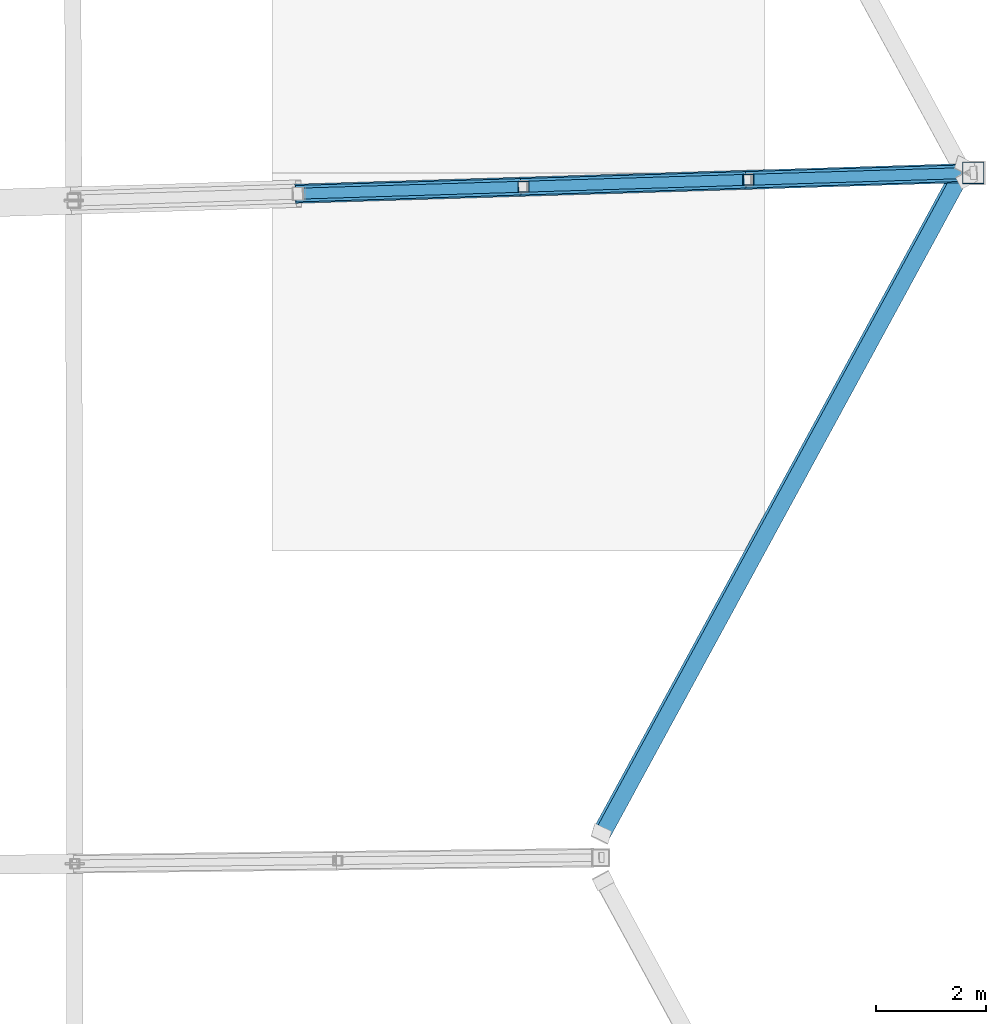
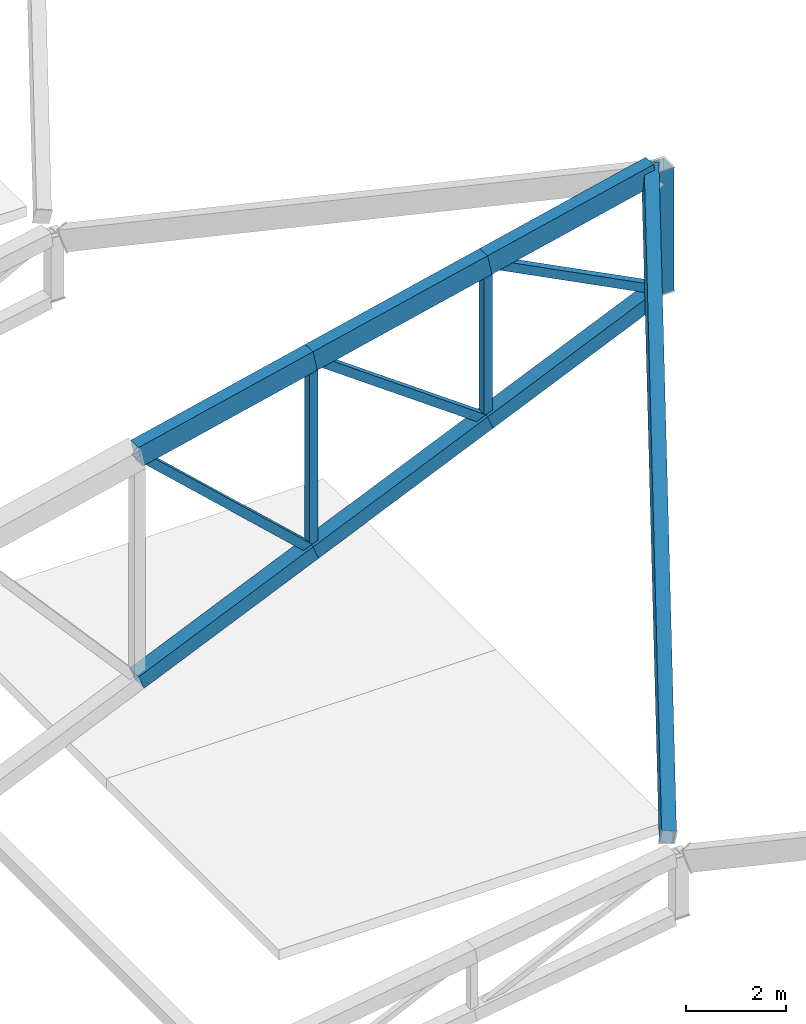
# One storey, part 60 of 188: 12 members, 1 beam.
"""IFC4 building model written with IfcOpenShell, lengths in metres."""

from ifc_helpers import new_model, si_unit, direction, frame, origin, origin_2d, place, context, subcontext, project, spatial, hollow_rectangle, extrude, material, material_profile, profile_set, type_object, element, save


model = new_model("IFC4")

# Units and contexts
model_context = context("Model", 3, precision=1e-05, world=origin(), true_north=direction((0.0, 1.0)))
body_context = subcontext(model_context, "Body", "Model", "MODEL_VIEW")
ifc_project = project(units=[si_unit("LENGTHUNIT", "METRE"), si_unit("AREAUNIT", "SQUARE_METRE"), si_unit("VOLUMEUNIT", "CUBIC_METRE"), si_unit("PLANEANGLEUNIT", "RADIAN"), si_unit("MASSUNIT", "GRAM", prefix="KILO")], contexts=[model_context])

# Site, building, storey
site_placement = place(None, origin())
site = spatial("IfcSite", under=ifc_project, at=site_placement, CompositionType="ELEMENT")
building_placement = place(site_placement, origin())
building = spatial("IfcBuilding", under=site, at=building_placement, Name="Meseta Stadium", CompositionType="ELEMENT")
storey_placement = place(building_placement, frame((0.0, 0.0, 30.0)))
storey = spatial("IfcBuildingStorey", under=building, at=storey_placement, Name="ROOF", CompositionType="ELEMENT", Elevation=30.0)

# Beam
ifc_material_1 = material(Name="Steel S355", Category="steel")
ifc_material_profile_1 = material_profile(ifc_material_1, hollow_rectangle(XDim=0.300048828125, YDim=0.5, WallThickness=0.01611328125, at=origin_2d()), Name="RHS 500x300x16")
ifc_profile_set_1 = profile_set([ifc_material_profile_1], Name="Steel S355")
beam_type = type_object("IfcBeamType", Name="RHS 500x300x16 rim ring beam", PredefinedType="BEAM", material=ifc_profile_set_1)
beam_placement = place(storey_placement, frame((94.612548828125, 6.690185546875, 3.795654296875), z_axis=(0.43116895441, 0.792582276806, 0.43116895441), x_axis=(-0.893501222002, 0.441536223091, 0.081861651456)))
element("IfcBeam", 1, at=beam_placement, inside=storey, type_object=beam_type, Name="RIM RING BEAM 06", PredefinedType="BEAM", context=body_context, shape_type="SweptSolid", body=[
    extrude(hollow_rectangle(XDim=0.300048828125, YDim=0.5, WallThickness=0.01611328125, at=origin_2d()), origin(), (0.0, 0.0, 1.0), 15.361328125),
])

# Members
ifc_material_2 = material(Name="Steel S355", Category="steel")
ifc_material_profile_2 = material_profile(ifc_material_2, hollow_rectangle(XDim=0.300048828125, YDim=0.5, WallThickness=0.01611328125, at=origin_2d()), Name="RHS 500x300x16")
ifc_profile_set_2 = profile_set([ifc_material_profile_2], Name="Steel S355")
member_type_1 = type_object("IfcMemberType", Name="RHS 500x300x16 top chord", PredefinedType="CHORD", material=ifc_profile_set_2)
for number, where, z_axis, x_axis, name in (
    (2, (89.083984375, 18.3701171875, 8.013427734375), (0.979749392176, 0.030240257778, 0.197930935785), (-0.030850607166, 0.999524006734, 0.0), "ROOF TRUSS RT-06 top chord"),
    (3, (93.189208984375, 18.496826171875, 8.8427734375), (0.979764748905, 0.030180669596, 0.197864003763), (-0.030789391844, 0.999525894287, 0.0), "ROOF TRUSS RT-06 top chord"),
):
    element("IfcMember", number, at=place(storey_placement, frame(where, z_axis=z_axis, x_axis=x_axis)), inside=storey, type_object=member_type_1, Name=name, PredefinedType="CHORD", context=body_context, shape_type="SweptSolid", body=[
        extrude(hollow_rectangle(XDim=0.300048828125, YDim=0.5, WallThickness=0.01611328125, at=origin_2d()), origin(), (0.0, 0.0, 1.0), 4.190185546875),
    ])
member_1_placement = place(storey_placement, frame((97.294677734375, 18.623291015625, 9.671875), z_axis=(0.979749581213, 0.030225210337, 0.197932298459), x_axis=(-0.030835264673, 0.999524480167, 0.0)))
element("IfcMember", 4, at=member_1_placement, inside=storey, type_object=member_type_1, Name="ROOF TRUSS RT-06 top chord", PredefinedType="CHORD", context=body_context, shape_type="SweptSolid", body=[
    extrude(hollow_rectangle(XDim=0.300048828125, YDim=0.5, WallThickness=0.01611328125, at=origin_2d()), origin(), (0.0, 0.0, 1.0), 3.990234375),
])
ifc_material_3 = material(Name="Steel S355", Category="steel")
ifc_material_profile_3 = material_profile(ifc_material_3, hollow_rectangle(XDim=0.199951171875, YDim=0.199951171875, WallThickness=0.008056640625, at=origin_2d()), Name="SHS 200x200x8")
ifc_profile_set_3 = profile_set([ifc_material_profile_3], Name="Steel S355")
member_type_2 = type_object("IfcMemberType", Name="SHS 200x200x8 diagonal", PredefinedType="BRACE", material=ifc_profile_set_3)
member_2_placement = place(storey_placement, frame((89.083984375, 18.3701171875, 8.013427734375), z_axis=(0.730349310361, 0.022542449722, -0.682701781758), x_axis=(-0.030850607166, 0.999524006734, 0.0)))
element("IfcMember", 5, at=member_2_placement, inside=storey, type_object=member_type_2, Name="ROOF TRUSS RT-06 diagonal", PredefinedType="BRACE", context=body_context, shape_type="SweptSolid", body=[
    extrude(hollow_rectangle(XDim=0.199951171875, YDim=0.199951171875, WallThickness=0.008056640625, at=origin_2d()), origin(), (0.0, 0.0, 1.0), 5.620849609375),
])
member_3_placement = place(storey_placement, frame((93.189208984375, 18.496826171875, 8.8427734375), z_axis=(0.80676713297, 0.024851651694, -0.590346668126), x_axis=(-0.030789391844, 0.999525894287, 0.0)))
element("IfcMember", 6, at=member_3_placement, inside=storey, type_object=member_type_2, Name="ROOF TRUSS RT-06 diagonal", PredefinedType="BRACE", context=body_context, shape_type="SweptSolid", body=[
    extrude(hollow_rectangle(XDim=0.199951171875, YDim=0.199951171875, WallThickness=0.008056640625, at=origin_2d()), origin(), (0.0, 0.0, 1.0), 5.0888671875),
])
member_4_placement = place(storey_placement, frame((97.294677734375, 18.623291015625, 9.671875), z_axis=(0.883699315856, 0.027275643469, -0.467259626362), x_axis=(-0.030850607166, 0.999524006734, 0.0)))
element("IfcMember", 7, at=member_4_placement, inside=storey, type_object=member_type_2, Name="ROOF TRUSS RT-06 diagonal", PredefinedType="BRACE", context=body_context, shape_type="SweptSolid", body=[
    extrude(hollow_rectangle(XDim=0.199951171875, YDim=0.199951171875, WallThickness=0.008056640625, at=origin_2d()), origin(), (0.0, 0.0, 1.0), 4.6455078125),
])
ifc_material_4 = material(Name="Steel S355", Category="steel")
ifc_material_profile_4 = material_profile(ifc_material_4, hollow_rectangle(XDim=0.199951171875, YDim=0.199951171875, WallThickness=0.008056640625, at=origin_2d()), Name="SHS 200x200x8")
ifc_profile_set_4 = profile_set([ifc_material_profile_4], Name="Steel S355")
member_type_3 = type_object("IfcMemberType", Name="SHS 200x200x8 post", PredefinedType="POST", material=ifc_profile_set_4)
member_5_placement = place(storey_placement, frame((93.189208984375, 18.496826171875, 4.176025390625), z_axis=(0.0, 0.0, 1.0), x_axis=(1.0, 0.0, 0.0)))
element("IfcMember", 8, at=member_5_placement, inside=storey, type_object=member_type_3, Name="ROOF TRUSS RT-06 post", PredefinedType="POST", context=body_context, shape_type="SweptSolid", body=[
    extrude(hollow_rectangle(XDim=0.199951171875, YDim=0.199951171875, WallThickness=0.008056640625, at=origin_2d()), origin(), (0.0, 0.0, 1.0), 4.666748046875),
])
member_6_placement = place(storey_placement, frame((97.294677734375, 18.623291015625, 5.838623046875), z_axis=(0.0, 0.0, 1.0), x_axis=(1.0, 0.0, 0.0)))
element("IfcMember", 9, at=member_6_placement, inside=storey, type_object=member_type_3, Name="ROOF TRUSS RT-06 post", PredefinedType="POST", context=body_context, shape_type="SweptSolid", body=[
    extrude(hollow_rectangle(XDim=0.199951171875, YDim=0.199951171875, WallThickness=0.008056640625, at=origin_2d()), origin(), (0.0, 0.0, 1.0), 3.833251953125),
])
ifc_material_5 = material(Name="Steel S355", Category="steel")
ifc_material_profile_5 = material_profile(ifc_material_5, hollow_rectangle(XDim=0.35009765625, YDim=0.35009765625, WallThickness=0.010009765625, at=origin_2d()), Name="SHS 350x350x10")
ifc_profile_set_5 = profile_set([ifc_material_profile_5], Name="Steel S355")
member_type_4 = type_object("IfcMemberType", Name="SHS 350x350x10 bottom chord", PredefinedType="CHORD", material=ifc_profile_set_5)
member_7_placement = place(storey_placement, frame((89.083984375, 18.3701171875, 2.513427734375), z_axis=(0.926492426412, 0.028596465615, 0.37522530026), x_axis=(-0.030850607166, 0.999524006734, 0.0)))
element("IfcMember", 10, at=member_7_placement, inside=storey, type_object=member_type_4, Name="ROOF TRUSS RT-06 bottom chord", PredefinedType="CHORD", context=body_context, shape_type="SweptSolid", body=[
    extrude(hollow_rectangle(XDim=0.35009765625, YDim=0.35009765625, WallThickness=0.010009765625, at=origin_2d()), origin(), (0.0, 0.0, 1.0), 4.430908203125),
])
member_8_placement = place(storey_placement, frame((93.189208984375, 18.496826171875, 4.176025390625), z_axis=(0.926501686786, 0.028539954434, 0.375206736858), x_axis=(-0.030789391844, 0.999525894287, 0.0)))
element("IfcMember", 11, at=member_8_placement, inside=storey, type_object=member_type_4, Name="ROOF TRUSS RT-06 bottom chord", PredefinedType="CHORD", context=body_context, shape_type="SweptSolid", body=[
    extrude(hollow_rectangle(XDim=0.35009765625, YDim=0.35009765625, WallThickness=0.010009765625, at=origin_2d()), origin(), (0.0, 0.0, 1.0), 4.43115234375),
])
member_9_placement = place(storey_placement, frame((97.294677734375, 18.623291015625, 5.838623046875), z_axis=(0.92648391764, 0.028620828547, 0.375244451695), x_axis=(-0.030877148781, 0.999523187166, 0.0)))
element("IfcMember", 12, at=member_9_placement, inside=storey, type_object=member_type_4, Name="ROOF TRUSS RT-06 bottom chord", PredefinedType="CHORD", context=body_context, shape_type="SweptSolid", body=[
    extrude(hollow_rectangle(XDim=0.35009765625, YDim=0.35009765625, WallThickness=0.010009765625, at=origin_2d()), origin(), (0.0, 0.0, 1.0), 4.23095703125),
])
ifc_material_6 = material(Name="Steel S355", Category="steel")
ifc_material_profile_6 = material_profile(ifc_material_6, hollow_rectangle(XDim=0.39990234375, YDim=0.39990234375, WallThickness=0.01416015625, at=origin_2d()), Name="SHS 400x400x14.2")
ifc_profile_set_6 = profile_set([ifc_material_profile_6], Name="Steel S355")
member_type_5 = type_object("IfcMemberType", Name="SHS 400x400x14.2 rim post", PredefinedType="POST", material=ifc_profile_set_6)
member_10_placement = place(storey_placement, frame((101.39990234375, 18.75, 7.501220703125), z_axis=(0.0, 0.0, 1.0), x_axis=(1.0, 0.0, 0.0)))
element("IfcMember", 13, at=member_10_placement, inside=storey, type_object=member_type_5, Name="ROOF TRUSS RT-06 post", PredefinedType="POST", context=body_context, shape_type="SweptSolid", body=[
    extrude(hollow_rectangle(XDim=0.39990234375, YDim=0.39990234375, WallThickness=0.01416015625, at=origin_2d()), origin(), (0.0, 0.0, 1.0), 3.0),
])

save(model, "model.ifc")
